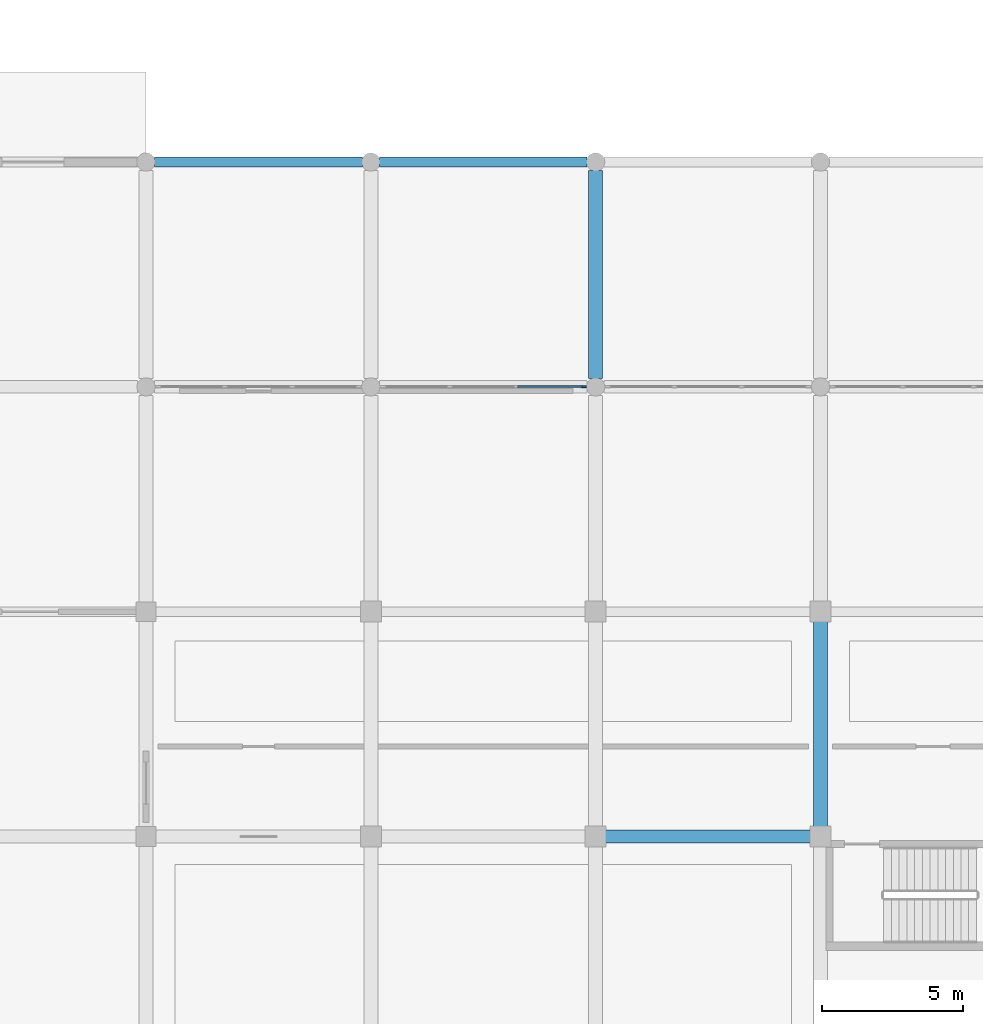
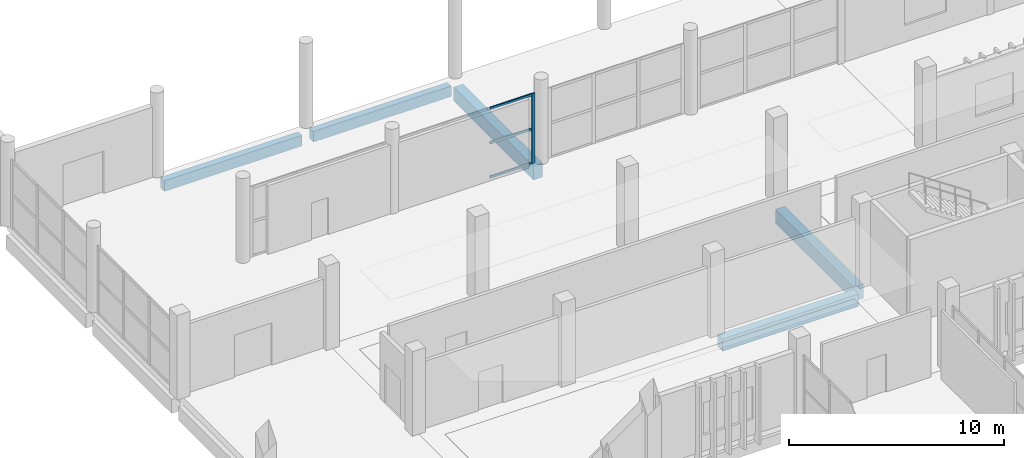
# One storey, part 53 of 117: 5 beams, 4 members, 1 element without a shape of its own.
"""IFC4 building model written with IfcOpenShell, lengths in metres."""

from ifc_helpers import new_model, si_unit, direction, frame, origin, origin_2d, place, context, subcontext, project, spatial, rectangle, extrude, material, layer, layer_set, material_profile, profile_set, type_object, element, aggregate, save


model = new_model("IFC4")

# Units and contexts
model_context = context("Model", 3, precision=1e-05, world=origin(), true_north=direction((0.0, 1.0)))
body_context = subcontext(model_context, "Body", "Model", "MODEL_VIEW")
ifc_project = project(units=[si_unit("LENGTHUNIT", "METRE"), si_unit("AREAUNIT", "SQUARE_METRE"), si_unit("VOLUMEUNIT", "CUBIC_METRE"), si_unit("PLANEANGLEUNIT", "RADIAN"), si_unit("MASSUNIT", "GRAM", prefix="KILO")], contexts=[model_context])

# Site, building, storey
site_placement = place(None, origin())
site = spatial("IfcSite", under=ifc_project, at=site_placement, CompositionType="ELEMENT")
building_placement = place(site_placement, origin())
building = spatial("IfcBuilding", under=site, at=building_placement, Name="Jelvoka-Kovrelna Polytechnic", CompositionType="ELEMENT")
storey_placement = place(building_placement, origin())
storey = spatial("IfcBuildingStorey", under=building, at=storey_placement, Name="L01", CompositionType="ELEMENT", Elevation=0.0)

# Beams
ifc_material_1 = material(Name="Concrete C40/50", Category="concrete")
ifc_material_profile_1 = material_profile(ifc_material_1, rectangle(XDim=0.449951171875, YDim=0.699951171875, at=origin_2d()), Name="RC 450x700")
ifc_profile_set_1 = profile_set([ifc_material_profile_1], Name="Concrete C40/50")
beam_type_1 = type_object("IfcBeamType", Name="Beam_RC_450x700", PredefinedType="BEAM", material=ifc_profile_set_1)
beam_1_placement = place(storey_placement, frame((72.35498046875, 64.0, -0.7548828125), z_axis=(1.0, 0.0, 0.0), x_axis=(0.0, 1.0, 0.0)))
element("IfcBeam", 1, at=beam_1_placement, inside=storey, type_object=beam_type_1, Name="L01 beam 0452", PredefinedType="BEAM", context=body_context, shape_type="SweptSolid", body=[
    extrude(rectangle(XDim=0.449951171875, YDim=0.699951171875, at=origin_2d()), origin(), (0.0, 0.0, 1.0), 7.2900390625),
])
ifc_material_2 = material(Name="Concrete C40/50", Category="concrete")
ifc_material_profile_2 = material_profile(ifc_material_2, rectangle(XDim=0.5, YDim=0.800048828125, at=origin_2d()), Name="RC 500x800")
ifc_profile_set_2 = profile_set([ifc_material_profile_2], Name="Concrete C40/50")
beam_type_2 = type_object("IfcBeamType", Name="Beam_RC_500x800", PredefinedType="BEAM", material=ifc_profile_set_2)
beam_2_placement = place(storey_placement, frame((72.0, 80.304931640625, -0.804931640625), z_axis=(0.0, 1.0, 0.0), x_axis=(-1.0, 0.0, 0.0)))
element("IfcBeam", 2, at=beam_2_placement, inside=storey, type_object=beam_type_2, Name="L01 beam 0298", PredefinedType="BEAM", context=body_context, shape_type="SweptSolid", body=[
    extrude(rectangle(XDim=0.5, YDim=0.800048828125, at=origin_2d()), origin(), (0.0, 0.0, 1.0), 7.39013671875),
])
beam_3_placement = place(storey_placement, frame((80.0, 64.35498046875, -0.804931640625), z_axis=(0.0, 1.0, 0.0), x_axis=(-1.0, 0.0, 0.0)))
element("IfcBeam", 3, at=beam_3_placement, inside=storey, type_object=beam_type_2, Name="L01 beam 0466", PredefinedType="BEAM", context=body_context, shape_type="SweptSolid", body=[
    extrude(rectangle(XDim=0.5, YDim=0.800048828125, at=origin_2d()), origin(), (0.0, 0.0, 1.0), 7.2900390625),
])

# Curtain wall, member
ifc_material_3 = material(Name="Anodised aluminium 6063-T6", Category="aluminium")
ifc_layer = layer(ifc_material_3, 0.179931640625)
ifc_layer_set = layer_set([ifc_layer], Name="Anodised aluminium 6063-T6")
curtain_wall_type = type_object("IfcCurtainWallType", Name="CW_Pavilion", PredefinedType="NOTDEFINED", material=ifc_layer_set)
curtain_wall_placement = place(storey_placement, origin())
curtain_wall = element("IfcCurtainWall", 4, at=curtain_wall_placement, inside=storey, type_object=curtain_wall_type, Name="L01 glazed curtain wall 166", PredefinedType="NOTDEFINED")
ifc_material_4 = material(Name="Anodised aluminium 6063-T6", Category="aluminium")
ifc_material_profile_3 = material_profile(ifc_material_4, rectangle(XDim=0.06494140625, YDim=0.179931640625, at=origin_2d()), Name="ALU 65x180")
ifc_profile_set_3 = profile_set([ifc_material_profile_3], Name="Anodised aluminium 6063-T6")
member_type_1 = type_object("IfcMemberType", Name="Mullion_M-05", PredefinedType="MULLION", material=ifc_profile_set_3)
member_1_placement = place(storey_placement, frame((71.5673828125, 80.0, -0.02490234375), z_axis=(0.0, 0.0, 1.0), x_axis=(0.0, 1.0, 0.0)))
member_1 = element("IfcMember", 5, at=member_1_placement, type_object=member_type_1, Name="CW-05 mullion 4", PredefinedType="MULLION", context=body_context, shape_type="SweptSolid", body=[
    extrude(rectangle(XDim=0.06494140625, YDim=0.179931640625, at=origin_2d()), origin(), (0.0, 0.0, 1.0), 4.005126953125),
])

# Beams
ifc_material_5 = material(Name="Concrete C40/50", Category="concrete")
ifc_material_profile_4 = material_profile(ifc_material_5, rectangle(XDim=0.35009765625, YDim=0.60009765625, at=origin_2d()), Name="RC 350x600")
ifc_profile_set_4 = profile_set([ifc_material_profile_4], Name="Concrete C40/50")
beam_type_3 = type_object("IfcBeamType", Name="Spandrel_RC_350x600", PredefinedType="SPANDREL", material=ifc_profile_set_4)
for number, where, z_axis, x_axis, name in (
    (6, (56.304931640625, 88.0, -0.705078125), (1.0, 0.0, 0.0), (0.0, 1.0, 0.0), "L01 beam 0287"),
    (7, (64.304931640625, 88.0, -0.705078125), (1.0, 0.0, 0.0), (0.0, 1.0, 0.0), "L01 beam 0288"),
):
    element("IfcBeam", number, at=place(storey_placement, frame(where, z_axis=z_axis, x_axis=x_axis)), inside=storey, type_object=beam_type_3, Name=name, PredefinedType="SPANDREL", context=body_context, shape_type="SweptSolid", body=[
        extrude(rectangle(XDim=0.35009765625, YDim=0.60009765625, at=origin_2d()), origin(), (0.0, 0.0, 1.0), 7.39013671875),
    ])

# Member
ifc_material_6 = material(Name="Anodised aluminium 6063-T6", Category="aluminium")
ifc_material_profile_5 = material_profile(ifc_material_6, rectangle(XDim=0.06494140625, YDim=0.135009765625, at=origin_2d()), Name="ALU 65x135")
ifc_profile_set_5 = profile_set([ifc_material_profile_5], Name="Anodised aluminium 6063-T6")
member_type_2 = type_object("IfcMemberType", Name="Transom_T-05", PredefinedType="USERDEFINED", material=ifc_profile_set_5)
member_2_placement = place(storey_placement, frame((69.232421875, 80.0, 0.032470703125), z_axis=(1.0, 0.0, 0.0), x_axis=(0.0, 1.0, 0.0)))
member_2 = element("IfcMember", 8, at=member_2_placement, type_object=member_type_2, Name="CW-05 transom 3.1", ObjectType="TRANSOM", PredefinedType="USERDEFINED", context=body_context, shape_type="SweptSolid", body=[
    extrude(rectangle(XDim=0.06494140625, YDim=0.135009765625, at=origin_2d()), origin(), (0.0, 0.0, 1.0), 2.302490234375),
])

member_3_placement = place(storey_placement, frame((69.232421875, 80.0, 1.9775390625), z_axis=(1.0, 0.0, 0.0), x_axis=(0.0, 1.0, 0.0)))
member_3 = element("IfcMember", 9, at=member_3_placement, type_object=member_type_2, Name="CW-05 transom 3.2", ObjectType="TRANSOM", PredefinedType="USERDEFINED", context=body_context, shape_type="SweptSolid", body=[
    extrude(rectangle(XDim=0.06494140625, YDim=0.135009765625, at=origin_2d()), origin(), (0.0, 0.0, 1.0), 2.302490234375),
])

member_4_placement = place(storey_placement, frame((69.232421875, 80.0, 3.922607421875), z_axis=(1.0, 0.0, 0.0), x_axis=(0.0, 1.0, 0.0)))
member_4 = element("IfcMember", 10, at=member_4_placement, type_object=member_type_2, Name="CW-05 transom 3.3", ObjectType="TRANSOM", PredefinedType="USERDEFINED", context=body_context, shape_type="SweptSolid", body=[
    extrude(rectangle(XDim=0.06494140625, YDim=0.135009765625, at=origin_2d()), origin(), (0.0, 0.0, 1.0), 2.302490234375),
])

aggregate(curtain_wall, [member_1, member_2, member_3, member_4])

save(model, "model.ifc")
